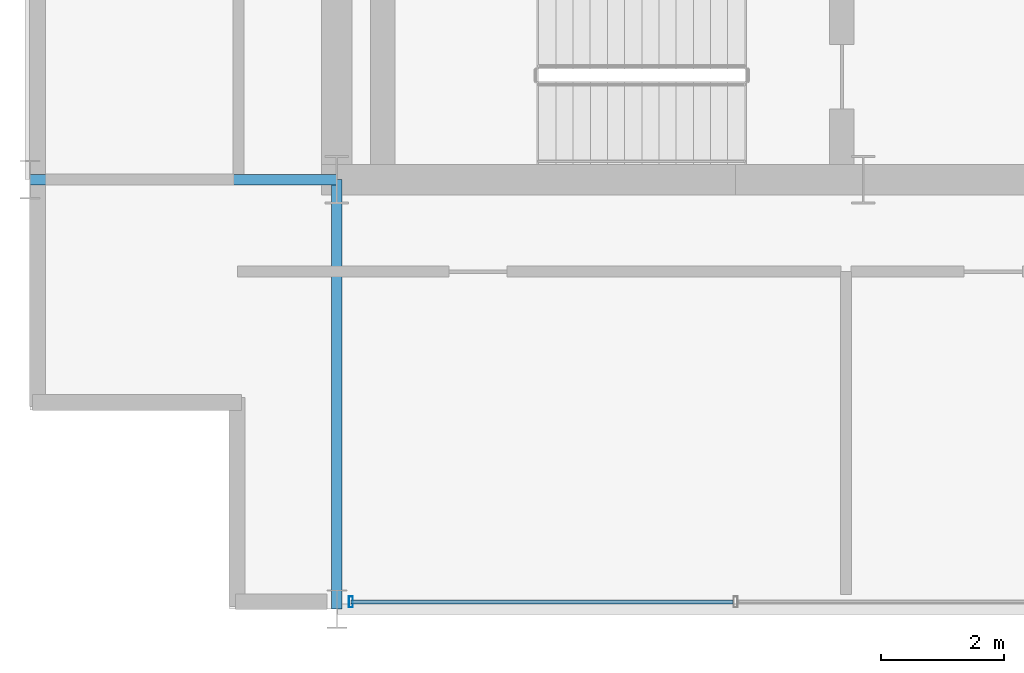
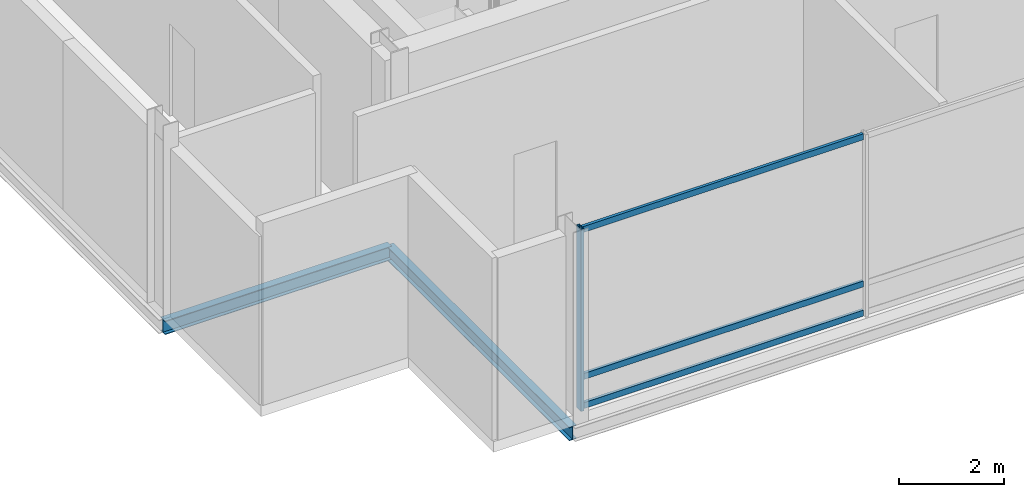
# One storey, part 2 of 10: 4 members, 2 beams, 1 element without a shape of its own.
"""IFC4 building model written with IfcOpenShell, lengths in metres."""

from ifc_helpers import new_model, si_unit, direction, frame, origin, origin_2d, place, context, subcontext, project, spatial, hollow_rectangle, i_section, extrude, material, layer, layer_set, material_profile, profile_set, type_object, element, aggregate, save


model = new_model("IFC4")

# Units and contexts
model_context = context("Model", 3, precision=1e-05, world=origin(), true_north=direction((0.0, 1.0)))
body_context = subcontext(model_context, "Body", "Model", "MODEL_VIEW")
ifc_project = project(units=[si_unit("LENGTHUNIT", "METRE"), si_unit("AREAUNIT", "SQUARE_METRE"), si_unit("VOLUMEUNIT", "CUBIC_METRE"), si_unit("PLANEANGLEUNIT", "RADIAN"), si_unit("MASSUNIT", "GRAM", prefix="KILO")], contexts=[model_context])

# Site, building, storey
site_placement = place(None, origin())
site = spatial("IfcSite", under=ifc_project, at=site_placement, CompositionType="ELEMENT")
building_placement = place(site_placement, origin())
building = spatial("IfcBuilding", under=site, at=building_placement, Name="Barlavira Tower and Art Museum", CompositionType="ELEMENT")
storey_placement = place(building_placement, frame((0.0, 0.0, 314.39990234375)))
storey = spatial("IfcBuildingStorey", under=building, at=storey_placement, Name="L82", CompositionType="ELEMENT", Elevation=314.39990234375)

# Beams
ifc_material_1 = material(Name="Steel S355", Category="steel")
ifc_material_profile_1 = material_profile(ifc_material_1, i_section(OverallWidth=0.1669921875, OverallDepth=0.31689453125, WebThickness=0.007568359375, FlangeThickness=0.01318359375, at=origin_2d()), Name="W310x52.0")
ifc_profile_set_1 = profile_set([ifc_material_profile_1], Name="Steel S355")
beam_type = type_object("IfcBeamType", Name="Crown Floor Joist W310x52 Steel S355", PredefinedType="JOIST", material=ifc_profile_set_1)
beam_1_placement = place(storey_placement, frame((-6.5, -14.5, -0.408447265625), z_axis=(0.0, 1.0, 0.0), x_axis=(-1.0, 0.0, 0.0)))
element("IfcBeam", 1, at=beam_1_placement, inside=storey, type_object=beam_type, Name="L82 Crown Ring Beam CSL", PredefinedType="JOIST", context=body_context, shape_type="SweptSolid", body=[
    extrude(i_section(OverallWidth=0.1669921875, OverallDepth=0.31689453125, WebThickness=0.007568359375, FlangeThickness=0.01318359375, at=origin_2d()), origin(), (0.0, 0.0, 1.0), 7.0),
])
beam_2_placement = place(storey_placement, frame((-11.5, -7.5, -0.408447265625), z_axis=(1.0, 0.0, 0.0), x_axis=(0.0, 1.0, 0.0)))
element("IfcBeam", 2, at=beam_2_placement, inside=storey, type_object=beam_type, Name="L82 Crown Ring Beam CWL", PredefinedType="JOIST", context=body_context, shape_type="SweptSolid", body=[
    extrude(i_section(OverallWidth=0.1669921875, OverallDepth=0.31689453125, WebThickness=0.007568359375, FlangeThickness=0.01318359375, at=origin_2d()), origin(), (0.0, 0.0, 1.0), 5.0),
])

# Curtain wall, members
ifc_material_2 = material(Name="Low-iron coastal laminated glass", Category="glass")
ifc_layer = layer(ifc_material_2, 0.22998046875, Name="Low-iron coastal laminated glass")
ifc_layer_set = layer_set([ifc_layer], Name="Low-iron coastal laminated glass")
curtain_wall_type = type_object("IfcCurtainWallType", Name="Winter-Garden Conservatory Glazed Curtain Wall", PredefinedType="NOTDEFINED", material=ifc_layer_set)
curtain_wall_placement = place(storey_placement, origin())
curtain_wall = element("IfcCurtainWall", 3, at=curtain_wall_placement, inside=storey, type_object=curtain_wall_type, Name="L82 Curtain Wall CW7-L82-S-B2", PredefinedType="NOTDEFINED")
ifc_material_3 = material(Name="Pale anodised aluminium", Category="aluminium")
ifc_material_profile_2 = material_profile(ifc_material_3, hollow_rectangle(XDim=0.06494140625, YDim=0.179931640625, WallThickness=0.00390625, at=origin_2d()), Name="ALU-MULL 65x180x4")
ifc_profile_set_2 = profile_set([ifc_material_profile_2], Name="Pale anodised aluminium")
member_type_1 = type_object("IfcMemberType", Name="Curtain Wall Pale-Metal Mullion 65x180", PredefinedType="MULLION", material=ifc_profile_set_2)
member_1_placement = place(storey_placement, frame((-6.27099609375, -14.3798828125, 0.0), z_axis=(0.0, 0.0, 1.0), x_axis=(1.0, 0.0, 0.0)))
member_1 = element("IfcMember", 4, at=member_1_placement, type_object=member_type_1, Name="CW7-L82-S-B2 Mullion 0", PredefinedType="MULLION", context=body_context, shape_type="SweptSolid", body=[
    extrude(hollow_rectangle(XDim=0.06494140625, YDim=0.179931640625, WallThickness=0.00390625, at=origin_2d()), origin(), (0.0, 0.0, 1.0), 4.25),
])
ifc_material_profile_3 = material_profile(ifc_material_3, hollow_rectangle(XDim=0.06494140625, YDim=0.139892578125, WallThickness=0.00390625, at=origin_2d()), Name="ALU-TRAN 65x140x4")
ifc_profile_set_3 = profile_set([ifc_material_profile_3], Name="Pale anodised aluminium")
member_type_2 = type_object("IfcMemberType", Name="Curtain Wall Pale-Metal Transom 65x140", PredefinedType="USERDEFINED", material=ifc_profile_set_3)
member_2_placement = place(storey_placement, frame((-6.27099609375, -14.3798828125, 0.070068359375), z_axis=(1.0, 0.0, 0.0), x_axis=(0.0, 1.0, 0.0)))
member_2 = element("IfcMember", 5, at=member_2_placement, type_object=member_type_2, Name="CW7-L82-S-B2 Transom 0.1", ObjectType="TRANSOM", PredefinedType="USERDEFINED", context=body_context, shape_type="SweptSolid", body=[
    extrude(hollow_rectangle(XDim=0.06494140625, YDim=0.139892578125, WallThickness=0.00390625, at=origin_2d()), origin(), (0.0, 0.0, 1.0), 6.22607421875),
])
member_3_placement = place(storey_placement, frame((-6.27099609375, -14.3798828125, 0.75), z_axis=(1.0, 0.0, 0.0), x_axis=(0.0, 1.0, 0.0)))
member_3 = element("IfcMember", 6, at=member_3_placement, type_object=member_type_2, Name="CW7-L82-S-B2 Transom 0.2", ObjectType="TRANSOM", PredefinedType="USERDEFINED", context=body_context, shape_type="SweptSolid", body=[
    extrude(hollow_rectangle(XDim=0.06494140625, YDim=0.139892578125, WallThickness=0.00390625, at=origin_2d()), origin(), (0.0, 0.0, 1.0), 6.22607421875),
])
member_4_placement = place(storey_placement, frame((-6.27099609375, -14.3798828125, 4.18017578125), z_axis=(1.0, 0.0, 0.0), x_axis=(0.0, 1.0, 0.0)))
member_4 = element("IfcMember", 7, at=member_4_placement, type_object=member_type_2, Name="CW7-L82-S-B2 Transom 0.3", ObjectType="TRANSOM", PredefinedType="USERDEFINED", context=body_context, shape_type="SweptSolid", body=[
    extrude(hollow_rectangle(XDim=0.06494140625, YDim=0.139892578125, WallThickness=0.00390625, at=origin_2d()), origin(), (0.0, 0.0, 1.0), 6.22607421875),
])
aggregate(curtain_wall, [member_1, member_2, member_3, member_4])

save(model, "model.ifc")
